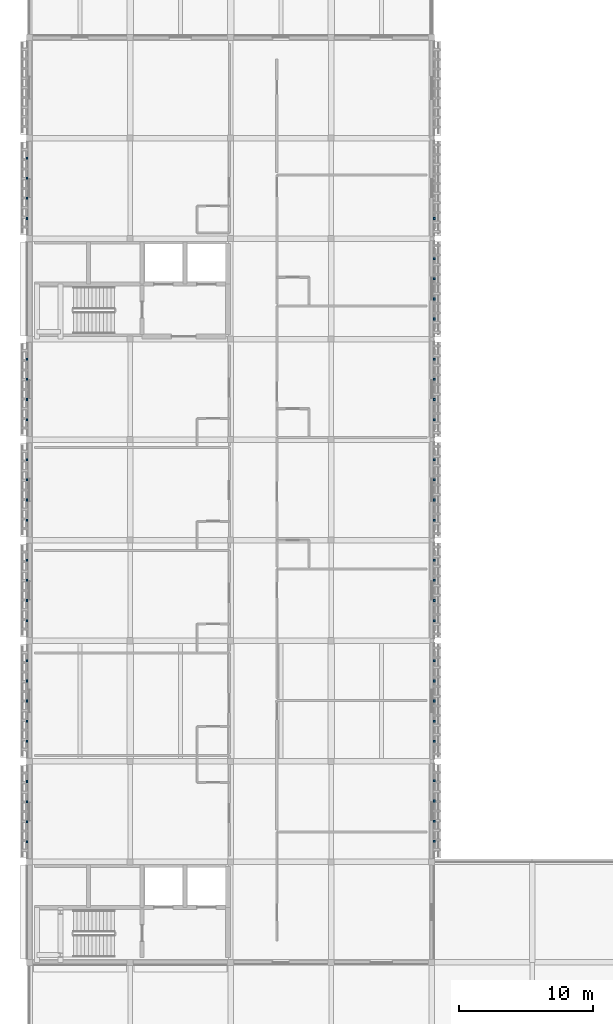
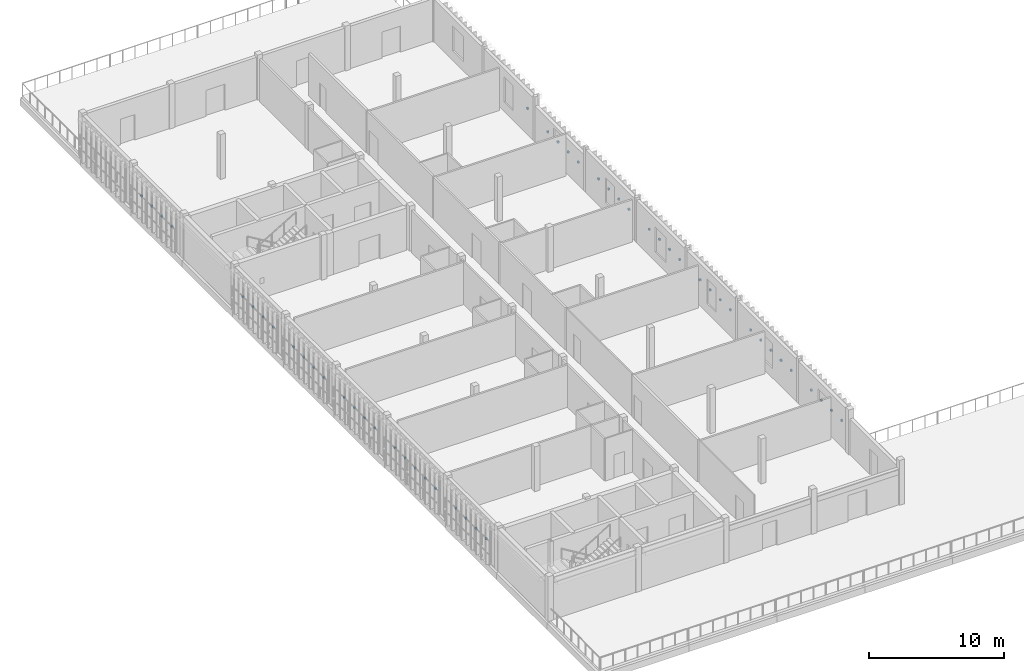
# One storey, part 7 of 13: 51 discrete accessories.
"""IFC4 building model written with IfcOpenShell, lengths in metres."""

import ifcopenshell
import ifcopenshell.guid

model = None  # the IFC model being written
_history = None  # IfcOwnerHistory: only IFC2X3 demands one
_inside = {}  # id of a spatial element -> (the spatial element, [elements in it])
_under = {}  # id of a project, library or spatial element -> (it, [spatial elements below it])
_declared = {}  # id of a project -> (the project, [libraries it declares])
_typed = {}  # id of a type object -> (the type object, [elements of that type])
_made_of = {}  # id of a material, layer set ... -> (it, [elements and type objects made of it])


def new_model(schema):
    """Start an empty IFC model of exactly this schema.

    Asked for "IFC4X3", IfcOpenShell would pick the latest addendum, in which some entities
    have other attributes; the version numbers below select the first issue.
    IFC2X3 requires an IfcOwnerHistory on every rooted entity: one is made here for all.
    """
    global model, _history
    if schema == "IFC4X3":
        model = ifcopenshell.file(schema_version=(4, 3, 0, 0))
    else:
        model = ifcopenshell.file(schema=schema)
    _inside.clear()
    _under.clear()
    _declared.clear()
    _typed.clear()
    _made_of.clear()
    _history = None
    if model.schema == "IFC2X3":
        org = make("IfcOrganization", Name="unknown")
        user = make(
            "IfcPersonAndOrganization",
            ThePerson=make("IfcPerson", FamilyName="unknown"),
            TheOrganization=org,
        )
        app = make(
            "IfcApplication",
            ApplicationDeveloper=org,
            Version="unknown",
            ApplicationFullName="unknown",
            ApplicationIdentifier="unknown",
        )
        _history = make(
            "IfcOwnerHistory",
            OwningUser=user,
            OwningApplication=app,
            ChangeAction="ADDED",
            CreationDate=0,
        )
    return model


def make(cls, **values):
    """One entity of the class cls with the attributes given. An attribute that is None is left unset."""
    return model.create_entity(
        cls, **{name: value for name, value in values.items() if value is not None}
    )


def rooted(cls, **values):
    """An entity with a GlobalId (a new one), such as an element, a storey or a relation."""
    return make(cls, GlobalId=ifcopenshell.guid.new(), OwnerHistory=_history, **values)


def si_unit(unit_type, name, prefix=None):
    """IfcSIUnit, for example si_unit("LENGTHUNIT", "METRE", prefix="MILLI")."""
    return make("IfcSIUnit", UnitType=unit_type, Prefix=prefix, Name=name)


def assignment(units):
    """IfcUnitAssignment: the units of a project."""
    return None if units is None else make("IfcUnitAssignment", Units=units)


def point(xyz):
    """IfcCartesianPoint."""
    return None if xyz is None else make("IfcCartesianPoint", Coordinates=xyz)


def direction(xyz):
    """IfcDirection."""
    return None if xyz is None else make("IfcDirection", DirectionRatios=xyz)


def frame(location, z_axis=None, x_axis=None):
    """IfcAxis2Placement3D, a coordinate frame: its origin and axes. An axis left out is left unset."""
    return make(
        "IfcAxis2Placement3D",
        Location=point(location),
        Axis=direction(z_axis),
        RefDirection=direction(x_axis),
    )


def frame_2d(location, x_axis=None):
    """IfcAxis2Placement2D, a coordinate frame in the plane: its origin and x axis."""
    return make(
        "IfcAxis2Placement2D", Location=point(location), RefDirection=direction(x_axis)
    )


def origin():
    """The frame at (0, 0, 0) with its axes left unset."""
    return frame((0.0, 0.0, 0.0))


def origin_2d():
    """The frame at (0, 0) in the plane with its x axis left unset."""
    return frame_2d((0.0, 0.0))


def place(relative_to, where):
    """IfcLocalPlacement: puts the frame where relative to a parent placement (None: the world)."""
    return make(
        "IfcLocalPlacement", PlacementRelTo=relative_to, RelativePlacement=where
    )


def context(
    kind, dimensions, precision=None, world=None, true_north=None, identifier=None
):
    """IfcGeometricRepresentationContext, for example the 3D "Model" context."""
    return make(
        "IfcGeometricRepresentationContext",
        ContextIdentifier=identifier,
        ContextType=kind,
        CoordinateSpaceDimension=dimensions,
        Precision=precision,
        WorldCoordinateSystem=world,
        TrueNorth=true_north,
    )


def subcontext(parent, identifier, kind, view, scale=None):
    """IfcGeometricRepresentationSubContext, for example "Body" below "Model"."""
    return make(
        "IfcGeometricRepresentationSubContext",
        ContextIdentifier=identifier,
        ContextType=kind,
        ParentContext=parent,
        TargetScale=scale,
        TargetView=view,
    )


def project(units=None, contexts=None):
    """IfcProject with its units and contexts."""
    return rooted(
        "IfcProject",
        Name="project",
        RepresentationContexts=contexts,
        UnitsInContext=assignment(units),
    )


def spatial(cls, under=None, at=None, **own):
    """A site, building, storey or space (cls), placed at a placement, below another one or the project."""
    s = rooted(cls, ObjectPlacement=at, **own)
    if under is not None:
        _under.setdefault(under.id(), (under, []))[1].append(s)
    return s


def profile(cls, at=None, kind="AREA", **sizes):
    """A parametric profile (cls). Its sizes go by their IFC names, for example OverallWidth=200.0."""
    return make(cls, ProfileType=kind, Position=at, **sizes)


def rectangle(**sizes):
    """IfcRectangleProfileDef."""
    return profile("IfcRectangleProfileDef", **sizes)


def extrude(swept, where, along, depth):
    """IfcExtrudedAreaSolid: the profile swept, set in the frame where, extruded along a direction by depth."""
    return make(
        "IfcExtrudedAreaSolid",
        SweptArea=swept,
        Position=where,
        ExtrudedDirection=direction(along),
        Depth=depth,
    )


def shape(context_of_items, identifier, shape_type, items):
    """IfcShapeRepresentation: the items that make up one representation, for example the "Body"."""
    return make(
        "IfcShapeRepresentation",
        ContextOfItems=context_of_items,
        RepresentationIdentifier=identifier,
        RepresentationType=shape_type,
        Items=items,
    )


def material(Name=None, Category=None):
    """IfcMaterial."""
    return make("IfcMaterial", Name=Name, Category=Category)


def made_of(thing, what):
    """Note that an element or type object is made of a material, layer set ...; save() writes the relation."""
    if what is not None:
        _made_of.setdefault(what.id(), (what, []))[1].append(thing)
    return thing


def type_object(cls, material=None, **own):
    """A type object (cls), such as IfcWallType, which elements share."""
    return made_of(rooted(cls, **own), material)


def element(
    cls,
    number,
    at=None,
    inside=None,
    cuts=None,
    type_object=None,
    material=None,
    context=None,
    identifier="Body",
    shape_type=None,
    held_by="IfcProductDefinitionShape",
    body=None,
    shapes=None,
    **own,
):
    """One element of the class cls, such as IfcWall. Its Tag is "e" and its number.

    at: its placement. inside: the storey or other place that contains it. cuts: it is an
    opening in that element (IfcRelVoidsElement). A single representation is given by context,
    identifier, shape_type and body (its items); several are given by shapes. held_by: the class
    of the entity that holds the representations. save() writes the other relations.
    """
    e = rooted(cls, Tag="e%d" % number, ObjectPlacement=at, **own)
    if body is not None:
        shapes = [shape(context, identifier, shape_type, body)]
    if shapes is not None:
        e.Representation = make(held_by, Representations=shapes)
    if inside is not None:
        _inside.setdefault(inside.id(), (inside, []))[1].append(e)
    if cuts is not None:
        rooted(
            "IfcRelVoidsElement", RelatingBuildingElement=cuts, RelatedOpeningElement=e
        )
    if type_object is not None:
        _typed.setdefault(type_object.id(), (type_object, []))[1].append(e)
    return made_of(e, material)


def aggregate(whole, parts):
    """IfcRelAggregates: a whole, such as a stair, and the parts it consists of."""
    return rooted("IfcRelAggregates", RelatingObject=whole, RelatedObjects=parts)


def save(model, path):
    """Write the relations noted so far, then the file.

    IfcRelAggregates (storeys below a building ...), IfcRelContainedInSpatialStructure (elements
    in a storey), IfcRelDefinesByType, IfcRelAssociatesMaterial and IfcRelDeclares: one each for
    every whole, place, type object, material and project.
    """
    for whole, parts in _under.values():
        aggregate(whole, parts)
    for where, things in _inside.values():
        rooted(
            "IfcRelContainedInSpatialStructure",
            RelatedElements=things,
            RelatingStructure=where,
        )
    for kind, things in _typed.values():
        rooted("IfcRelDefinesByType", RelatedObjects=things, RelatingType=kind)
    for what, things in _made_of.values():
        rooted("IfcRelAssociatesMaterial", RelatedObjects=things, RelatingMaterial=what)
    for by, libraries in _declared.values():
        rooted("IfcRelDeclares", RelatingContext=by, RelatedDefinitions=libraries)
    model.write(path)


model = new_model("IFC4")

# Units and contexts
model_context = context("Model", 3, precision=1e-05, world=origin(), true_north=direction((0.0, 1.0)))
body_context = subcontext(model_context, "Body", "Model", "MODEL_VIEW")
ifc_project = project(units=[si_unit("LENGTHUNIT", "METRE"), si_unit("AREAUNIT", "SQUARE_METRE"), si_unit("VOLUMEUNIT", "CUBIC_METRE"), si_unit("PLANEANGLEUNIT", "RADIAN"), si_unit("MASSUNIT", "GRAM", prefix="KILO")], contexts=[model_context])

# Site, building, storey
site_placement = place(None, origin())
site = spatial("IfcSite", under=ifc_project, at=site_placement, CompositionType="ELEMENT")
building_placement = place(site_placement, origin())
building = spatial("IfcBuilding", under=site, at=building_placement, Name="Dalvernix Boulevard General Hospital", CompositionType="ELEMENT")
storey_placement = place(building_placement, frame((0.0, 0.0, 30.0)))
storey = spatial("IfcBuildingStorey", under=building, at=storey_placement, Name="L07", CompositionType="ELEMENT", Elevation=30.0)

# Discrete accessories
ifc_material = material(Name="Stainless steel 1.4404 fixing bracket", Category="steel")
discrete_accessory_type = type_object("IfcDiscreteAccessoryType", Name="ACC-BRK-01", PredefinedType="BRACKET", material=ifc_material)
for number, where, z_axis, x_axis, name in (
    (1, (-0.18994140625, 16.5, 1.8349609375), (0.0, 0.0, 1.0), (0.0, 1.0, 0.0), "L07 screen support bracket 1"),
    (2, (-0.18994140625, 18.0, 1.8349609375), (0.0, 0.0, 1.0), (0.0, 1.0, 0.0), "L07 screen support bracket 2"),
    (3, (-0.18994140625, 19.5, 1.8349609375), (0.0, 0.0, 1.0), (0.0, 1.0, 0.0), "L07 screen support bracket 3"),
    (4, (-0.18994140625, 21.0, 1.8349609375), (0.0, 0.0, 1.0), (0.0, 1.0, 0.0), "L07 screen support bracket 4"),
    (5, (-0.18994140625, 24.0, 1.8349609375), (0.0, 0.0, 1.0), (0.0, 1.0, 0.0), "L07 screen support bracket 1"),
    (6, (-0.18994140625, 25.5, 1.8349609375), (0.0, 0.0, 1.0), (0.0, 1.0, 0.0), "L07 screen support bracket 2"),
    (7, (-0.18994140625, 27.0, 1.8349609375), (0.0, 0.0, 1.0), (0.0, 1.0, 0.0), "L07 screen support bracket 3"),
    (8, (-0.18994140625, 28.5, 1.8349609375), (0.0, 0.0, 1.0), (0.0, 1.0, 0.0), "L07 screen support bracket 4"),
    (9, (-0.18994140625, 30.0, 1.8349609375), (0.0, 0.0, 1.0), (0.0, 1.0, 0.0), "L07 screen support bracket 5"),
    (10, (-0.18994140625, 33.0, 1.8349609375), (0.0, 0.0, 1.0), (0.0, 1.0, 0.0), "L07 screen support bracket 1"),
    (11, (-0.18994140625, 34.5, 1.8349609375), (0.0, 0.0, 1.0), (0.0, 1.0, 0.0), "L07 screen support bracket 2"),
    (12, (-0.18994140625, 36.0, 1.8349609375), (0.0, 0.0, 1.0), (0.0, 1.0, 0.0), "L07 screen support bracket 3"),
    (13, (-0.18994140625, 37.5, 1.8349609375), (0.0, 0.0, 1.0), (0.0, 1.0, 0.0), "L07 screen support bracket 4"),
    (14, (-0.18994140625, 40.5, 1.8349609375), (0.0, 0.0, 1.0), (0.0, 1.0, 0.0), "L07 screen support bracket 1"),
    (15, (-0.18994140625, 42.0, 1.8349609375), (0.0, 0.0, 1.0), (0.0, 1.0, 0.0), "L07 screen support bracket 2"),
    (16, (-0.18994140625, 43.5, 1.8349609375), (0.0, 0.0, 1.0), (0.0, 1.0, 0.0), "L07 screen support bracket 3"),
    (17, (-0.18994140625, 45.0, 1.8349609375), (0.0, 0.0, 1.0), (0.0, 1.0, 0.0), "L07 screen support bracket 4"),
    (18, (-0.18994140625, 48.0, 1.8349609375), (0.0, 0.0, 1.0), (0.0, 1.0, 0.0), "L07 screen support bracket 1"),
    (19, (-0.18994140625, 49.5, 1.8349609375), (0.0, 0.0, 1.0), (0.0, 1.0, 0.0), "L07 screen support bracket 2"),
    (20, (-0.18994140625, 51.0, 1.8349609375), (0.0, 0.0, 1.0), (0.0, 1.0, 0.0), "L07 screen support bracket 3"),
    (21, (-0.18994140625, 52.5, 1.8349609375), (0.0, 0.0, 1.0), (0.0, 1.0, 0.0), "L07 screen support bracket 4"),
    (22, (-0.18994140625, 63.0, 1.8349609375), (0.0, 0.0, 1.0), (0.0, 1.0, 0.0), "L07 screen support bracket 1"),
    (23, (-0.18994140625, 64.5, 1.8349609375), (0.0, 0.0, 1.0), (0.0, 1.0, 0.0), "L07 screen support bracket 2"),
    (24, (-0.18994140625, 66.0, 1.8349609375), (0.0, 0.0, 1.0), (0.0, 1.0, 0.0), "L07 screen support bracket 3"),
    (25, (-0.18994140625, 67.5, 1.8349609375), (0.0, 0.0, 1.0), (0.0, 1.0, 0.0), "L07 screen support bracket 4"),
    (26, (30.18994140625, 21.04248046875, 1.8349609375), (0.0, 0.0, 1.0), (0.0, -1.0, 0.0), "L07 screen support bracket 1"),
    (27, (30.18994140625, 19.54248046875, 1.8349609375), (0.0, 0.0, 1.0), (0.0, -1.0, 0.0), "L07 screen support bracket 2"),
    (28, (30.18994140625, 18.04248046875, 1.8349609375), (0.0, 0.0, 1.0), (0.0, -1.0, 0.0), "L07 screen support bracket 3"),
    (29, (30.18994140625, 16.54248046875, 1.8349609375), (0.0, 0.0, 1.0), (0.0, -1.0, 0.0), "L07 screen support bracket 4"),
    (30, (30.18994140625, 30.0, 1.8349609375), (0.0, 0.0, 1.0), (0.0, -1.0, 0.0), "L07 screen support bracket 1"),
    (31, (30.18994140625, 28.5, 1.8349609375), (0.0, 0.0, 1.0), (0.0, -1.0, 0.0), "L07 screen support bracket 2"),
    (32, (30.18994140625, 27.0, 1.8349609375), (0.0, 0.0, 1.0), (0.0, -1.0, 0.0), "L07 screen support bracket 3"),
    (33, (30.18994140625, 25.5, 1.8349609375), (0.0, 0.0, 1.0), (0.0, -1.0, 0.0), "L07 screen support bracket 4"),
    (34, (30.18994140625, 24.0, 1.8349609375), (0.0, 0.0, 1.0), (0.0, -1.0, 0.0), "L07 screen support bracket 5"),
    (35, (30.18994140625, 37.5, 1.8349609375), (0.0, 0.0, 1.0), (0.0, -1.0, 0.0), "L07 screen support bracket 1"),
    (36, (30.18994140625, 36.0, 1.8349609375), (0.0, 0.0, 1.0), (0.0, -1.0, 0.0), "L07 screen support bracket 2"),
    (37, (30.18994140625, 34.5, 1.8349609375), (0.0, 0.0, 1.0), (0.0, -1.0, 0.0), "L07 screen support bracket 3"),
    (38, (30.18994140625, 33.0, 1.8349609375), (0.0, 0.0, 1.0), (0.0, -1.0, 0.0), "L07 screen support bracket 4"),
    (39, (30.18994140625, 45.0, 1.8349609375), (0.0, 0.0, 1.0), (0.0, -1.0, 0.0), "L07 screen support bracket 1"),
    (40, (30.18994140625, 43.5, 1.8349609375), (0.0, 0.0, 1.0), (0.0, -1.0, 0.0), "L07 screen support bracket 2"),
    (41, (30.18994140625, 42.0, 1.8349609375), (0.0, 0.0, 1.0), (0.0, -1.0, 0.0), "L07 screen support bracket 3"),
    (42, (30.18994140625, 40.5, 1.8349609375), (0.0, 0.0, 1.0), (0.0, -1.0, 0.0), "L07 screen support bracket 4"),
    (43, (30.18994140625, 52.5, 1.8349609375), (0.0, 0.0, 1.0), (0.0, -1.0, 0.0), "L07 screen support bracket 1"),
    (44, (30.18994140625, 51.0, 1.8349609375), (0.0, 0.0, 1.0), (0.0, -1.0, 0.0), "L07 screen support bracket 2"),
    (45, (30.18994140625, 49.5, 1.8349609375), (0.0, 0.0, 1.0), (0.0, -1.0, 0.0), "L07 screen support bracket 3"),
    (46, (30.18994140625, 48.0, 1.8349609375), (0.0, 0.0, 1.0), (0.0, -1.0, 0.0), "L07 screen support bracket 4"),
    (47, (30.18994140625, 60.0, 1.53515625), (0.0, 0.0, 1.0), (0.0, -1.0, 0.0), "L07 screen support bracket 1"),
    (48, (30.18994140625, 58.5, 1.53515625), (0.0, 0.0, 1.0), (0.0, -1.0, 0.0), "L07 screen support bracket 2"),
    (49, (30.18994140625, 57.0, 1.53515625), (0.0, 0.0, 1.0), (0.0, -1.0, 0.0), "L07 screen support bracket 3"),
    (50, (30.18994140625, 55.5, 1.53515625), (0.0, 0.0, 1.0), (0.0, -1.0, 0.0), "L07 screen support bracket 4"),
    (51, (30.18994140625, 63.0, 1.8349609375), (0.0, 0.0, 1.0), (0.0, -1.0, 0.0), "L07 screen support bracket 4"),
):
    element("IfcDiscreteAccessory", number, at=place(storey_placement, frame(where, z_axis=z_axis, x_axis=x_axis)), inside=storey, type_object=discrete_accessory_type, Name=name, PredefinedType="BRACKET", context=body_context, shape_type="SweptSolid", body=[
        extrude(rectangle(XDim=0.159912109375, YDim=0.139892578125, at=origin_2d()), origin(), (0.0, 0.0, 1.0), 0.159912109375),
    ])

save(model, "model.ifc")
